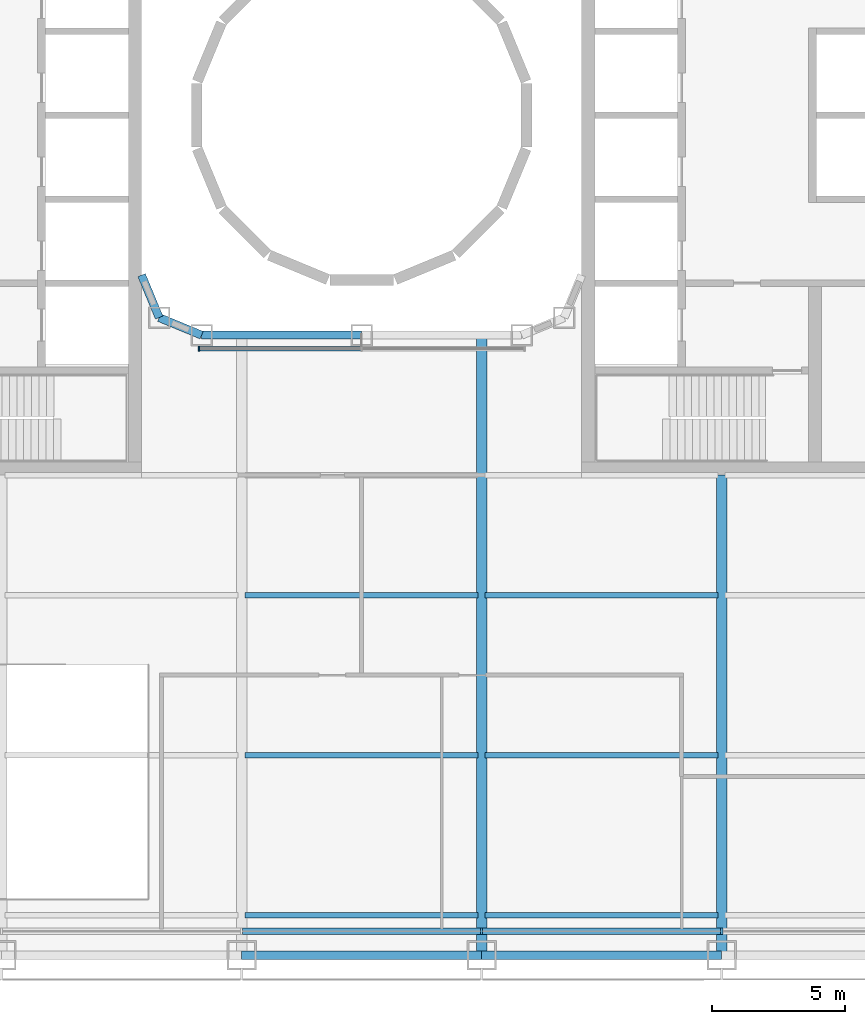
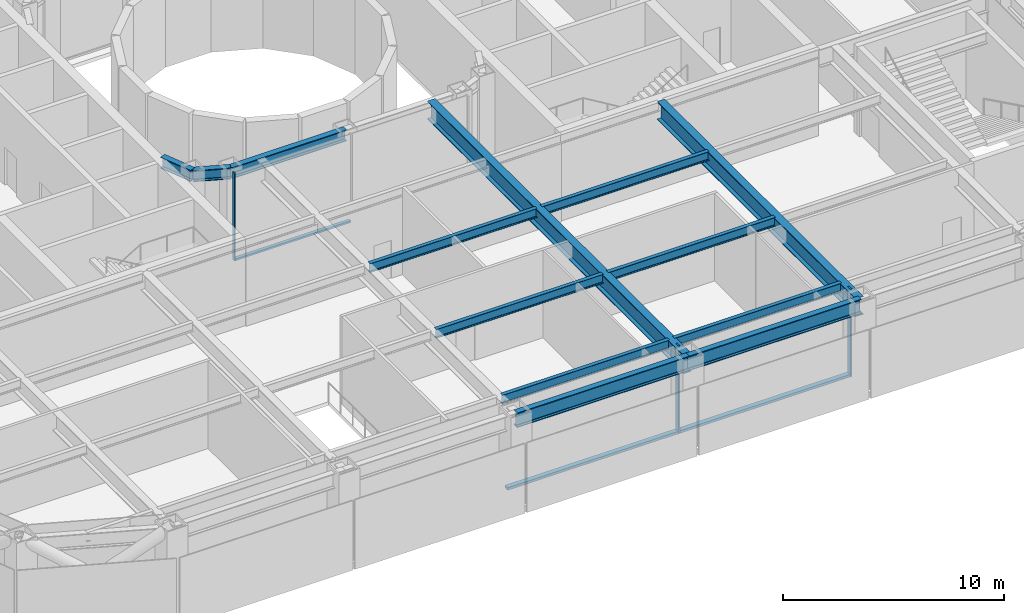
# One storey, part 3 of 24: 13 beams, 6 members, 2 elements without a shape of their own.
"""IFC4 building model written with IfcOpenShell, lengths in metres."""

import ifcopenshell
import ifcopenshell.guid

model = None  # the IFC model being written
_history = None  # IfcOwnerHistory: only IFC2X3 demands one
_inside = {}  # id of a spatial element -> (the spatial element, [elements in it])
_under = {}  # id of a project, library or spatial element -> (it, [spatial elements below it])
_declared = {}  # id of a project -> (the project, [libraries it declares])
_typed = {}  # id of a type object -> (the type object, [elements of that type])
_made_of = {}  # id of a material, layer set ... -> (it, [elements and type objects made of it])


def new_model(schema):
    """Start an empty IFC model of exactly this schema.

    Asked for "IFC4X3", IfcOpenShell would pick the latest addendum, in which some entities
    have other attributes; the version numbers below select the first issue.
    IFC2X3 requires an IfcOwnerHistory on every rooted entity: one is made here for all.
    """
    global model, _history
    if schema == "IFC4X3":
        model = ifcopenshell.file(schema_version=(4, 3, 0, 0))
    else:
        model = ifcopenshell.file(schema=schema)
    _inside.clear()
    _under.clear()
    _declared.clear()
    _typed.clear()
    _made_of.clear()
    _history = None
    if model.schema == "IFC2X3":
        org = make("IfcOrganization", Name="unknown")
        user = make(
            "IfcPersonAndOrganization",
            ThePerson=make("IfcPerson", FamilyName="unknown"),
            TheOrganization=org,
        )
        app = make(
            "IfcApplication",
            ApplicationDeveloper=org,
            Version="unknown",
            ApplicationFullName="unknown",
            ApplicationIdentifier="unknown",
        )
        _history = make(
            "IfcOwnerHistory",
            OwningUser=user,
            OwningApplication=app,
            ChangeAction="ADDED",
            CreationDate=0,
        )
    return model


def make(cls, **values):
    """One entity of the class cls with the attributes given. An attribute that is None is left unset."""
    return model.create_entity(
        cls, **{name: value for name, value in values.items() if value is not None}
    )


def rooted(cls, **values):
    """An entity with a GlobalId (a new one), such as an element, a storey or a relation."""
    return make(cls, GlobalId=ifcopenshell.guid.new(), OwnerHistory=_history, **values)


def si_unit(unit_type, name, prefix=None):
    """IfcSIUnit, for example si_unit("LENGTHUNIT", "METRE", prefix="MILLI")."""
    return make("IfcSIUnit", UnitType=unit_type, Prefix=prefix, Name=name)


def assignment(units):
    """IfcUnitAssignment: the units of a project."""
    return None if units is None else make("IfcUnitAssignment", Units=units)


def point(xyz):
    """IfcCartesianPoint."""
    return None if xyz is None else make("IfcCartesianPoint", Coordinates=xyz)


def direction(xyz):
    """IfcDirection."""
    return None if xyz is None else make("IfcDirection", DirectionRatios=xyz)


def frame(location, z_axis=None, x_axis=None):
    """IfcAxis2Placement3D, a coordinate frame: its origin and axes. An axis left out is left unset."""
    return make(
        "IfcAxis2Placement3D",
        Location=point(location),
        Axis=direction(z_axis),
        RefDirection=direction(x_axis),
    )


def frame_2d(location, x_axis=None):
    """IfcAxis2Placement2D, a coordinate frame in the plane: its origin and x axis."""
    return make(
        "IfcAxis2Placement2D", Location=point(location), RefDirection=direction(x_axis)
    )


def origin():
    """The frame at (0, 0, 0) with its axes left unset."""
    return frame((0.0, 0.0, 0.0))


def origin_2d():
    """The frame at (0, 0) in the plane with its x axis left unset."""
    return frame_2d((0.0, 0.0))


def place(relative_to, where):
    """IfcLocalPlacement: puts the frame where relative to a parent placement (None: the world)."""
    return make(
        "IfcLocalPlacement", PlacementRelTo=relative_to, RelativePlacement=where
    )


def context(
    kind, dimensions, precision=None, world=None, true_north=None, identifier=None
):
    """IfcGeometricRepresentationContext, for example the 3D "Model" context."""
    return make(
        "IfcGeometricRepresentationContext",
        ContextIdentifier=identifier,
        ContextType=kind,
        CoordinateSpaceDimension=dimensions,
        Precision=precision,
        WorldCoordinateSystem=world,
        TrueNorth=true_north,
    )


def subcontext(parent, identifier, kind, view, scale=None):
    """IfcGeometricRepresentationSubContext, for example "Body" below "Model"."""
    return make(
        "IfcGeometricRepresentationSubContext",
        ContextIdentifier=identifier,
        ContextType=kind,
        ParentContext=parent,
        TargetScale=scale,
        TargetView=view,
    )


def project(units=None, contexts=None):
    """IfcProject with its units and contexts."""
    return rooted(
        "IfcProject",
        Name="project",
        RepresentationContexts=contexts,
        UnitsInContext=assignment(units),
    )


def spatial(cls, under=None, at=None, **own):
    """A site, building, storey or space (cls), placed at a placement, below another one or the project."""
    s = rooted(cls, ObjectPlacement=at, **own)
    if under is not None:
        _under.setdefault(under.id(), (under, []))[1].append(s)
    return s


def profile(cls, at=None, kind="AREA", **sizes):
    """A parametric profile (cls). Its sizes go by their IFC names, for example OverallWidth=200.0."""
    return make(cls, ProfileType=kind, Position=at, **sizes)


def rectangle(**sizes):
    """IfcRectangleProfileDef."""
    return profile("IfcRectangleProfileDef", **sizes)


def i_section(**sizes):
    """IfcIShapeProfileDef."""
    return profile("IfcIShapeProfileDef", **sizes)


def extrude(swept, where, along, depth):
    """IfcExtrudedAreaSolid: the profile swept, set in the frame where, extruded along a direction by depth."""
    return make(
        "IfcExtrudedAreaSolid",
        SweptArea=swept,
        Position=where,
        ExtrudedDirection=direction(along),
        Depth=depth,
    )


def shape(context_of_items, identifier, shape_type, items):
    """IfcShapeRepresentation: the items that make up one representation, for example the "Body"."""
    return make(
        "IfcShapeRepresentation",
        ContextOfItems=context_of_items,
        RepresentationIdentifier=identifier,
        RepresentationType=shape_type,
        Items=items,
    )


def material(Name=None, Category=None):
    """IfcMaterial."""
    return make("IfcMaterial", Name=Name, Category=Category)


def layer(
    of_material, thickness, ventilated=None, Name=None, Category=None, Priority=None
):
    """IfcMaterialLayer: one layer of a wall or slab, of a material (None: an air gap)."""
    return make(
        "IfcMaterialLayer",
        Material=of_material,
        LayerThickness=thickness,
        IsVentilated=ventilated,
        Name=Name,
        Category=Category,
        Priority=Priority,
    )


def layer_set(layers, Name=None):
    """IfcMaterialLayerSet."""
    return make("IfcMaterialLayerSet", MaterialLayers=layers, LayerSetName=Name)


def material_profile(
    of_material, cross_section, Name=None, Category=None, Priority=None
):
    """IfcMaterialProfile: a cross section and its material."""
    return make(
        "IfcMaterialProfile",
        Name=Name,
        Material=of_material,
        Profile=cross_section,
        Priority=Priority,
        Category=Category,
    )


def profile_set(profiles, Name=None, composite=None):
    """IfcMaterialProfileSet."""
    return make(
        "IfcMaterialProfileSet",
        Name=Name,
        MaterialProfiles=profiles,
        CompositeProfile=composite,
    )


def made_of(thing, what):
    """Note that an element or type object is made of a material, layer set ...; save() writes the relation."""
    if what is not None:
        _made_of.setdefault(what.id(), (what, []))[1].append(thing)
    return thing


def type_object(cls, material=None, **own):
    """A type object (cls), such as IfcWallType, which elements share."""
    return made_of(rooted(cls, **own), material)


def element(
    cls,
    number,
    at=None,
    inside=None,
    cuts=None,
    type_object=None,
    material=None,
    context=None,
    identifier="Body",
    shape_type=None,
    held_by="IfcProductDefinitionShape",
    body=None,
    shapes=None,
    **own,
):
    """One element of the class cls, such as IfcWall. Its Tag is "e" and its number.

    at: its placement. inside: the storey or other place that contains it. cuts: it is an
    opening in that element (IfcRelVoidsElement). A single representation is given by context,
    identifier, shape_type and body (its items); several are given by shapes. held_by: the class
    of the entity that holds the representations. save() writes the other relations.
    """
    e = rooted(cls, Tag="e%d" % number, ObjectPlacement=at, **own)
    if body is not None:
        shapes = [shape(context, identifier, shape_type, body)]
    if shapes is not None:
        e.Representation = make(held_by, Representations=shapes)
    if inside is not None:
        _inside.setdefault(inside.id(), (inside, []))[1].append(e)
    if cuts is not None:
        rooted(
            "IfcRelVoidsElement", RelatingBuildingElement=cuts, RelatedOpeningElement=e
        )
    if type_object is not None:
        _typed.setdefault(type_object.id(), (type_object, []))[1].append(e)
    return made_of(e, material)


def aggregate(whole, parts):
    """IfcRelAggregates: a whole, such as a stair, and the parts it consists of."""
    return rooted("IfcRelAggregates", RelatingObject=whole, RelatedObjects=parts)


def save(model, path):
    """Write the relations noted so far, then the file.

    IfcRelAggregates (storeys below a building ...), IfcRelContainedInSpatialStructure (elements
    in a storey), IfcRelDefinesByType, IfcRelAssociatesMaterial and IfcRelDeclares: one each for
    every whole, place, type object, material and project.
    """
    for whole, parts in _under.values():
        aggregate(whole, parts)
    for where, things in _inside.values():
        rooted(
            "IfcRelContainedInSpatialStructure",
            RelatedElements=things,
            RelatingStructure=where,
        )
    for kind, things in _typed.values():
        rooted("IfcRelDefinesByType", RelatedObjects=things, RelatingType=kind)
    for what, things in _made_of.values():
        rooted("IfcRelAssociatesMaterial", RelatedObjects=things, RelatingMaterial=what)
    for by, libraries in _declared.values():
        rooted("IfcRelDeclares", RelatingContext=by, RelatedDefinitions=libraries)
    model.write(path)


model = new_model("IFC4")

# Units and contexts
model_context = context("Model", 3, precision=1e-05, world=origin(), true_north=direction((0.0, 1.0)))
body_context = subcontext(model_context, "Body", "Model", "MODEL_VIEW")
ifc_project = project(units=[si_unit("LENGTHUNIT", "METRE"), si_unit("AREAUNIT", "SQUARE_METRE"), si_unit("VOLUMEUNIT", "CUBIC_METRE"), si_unit("PLANEANGLEUNIT", "RADIAN"), si_unit("MASSUNIT", "GRAM", prefix="KILO")], contexts=[model_context])

# Site, building, storey
site_placement = place(None, origin())
site = spatial("IfcSite", under=ifc_project, at=site_placement, CompositionType="ELEMENT")
building_placement = place(site_placement, origin())
building = spatial("IfcBuilding", under=site, at=building_placement, Name="Siwar Civic Tower", CompositionType="ELEMENT")
storey_placement = place(building_placement, frame((0.0, 0.0, 12.199951171875)))
storey = spatial("IfcBuildingStorey", under=building, at=storey_placement, Name="L02", CompositionType="ELEMENT", Elevation=12.199951171875)

# Curtain wall, members
ifc_material_1 = material(Name="Aluminium and glass", Category="aluminium")
ifc_layer_1 = layer(ifc_material_1, 0.25)
ifc_layer_set_1 = layer_set([ifc_layer_1], Name="Aluminium and glass")
curtain_wall_type_1 = type_object("IfcCurtainWallType", Name="ENV-CW-H", PredefinedType="NOTDEFINED", material=ifc_layer_set_1)
curtain_wall_1_placement = place(storey_placement, origin())
curtain_wall_1 = element("IfcCurtainWall", 1, at=curtain_wall_1_placement, inside=storey, type_object=curtain_wall_type_1, Name="Curtain wall H S", PredefinedType="NOTDEFINED")
ifc_material_2 = material(Name="Aluminium 6063-T6", Category="aluminium")
ifc_material_profile_1 = material_profile(ifc_material_2, rectangle(XDim=0.25, YDim=0.080078125, at=origin_2d()), Name="AL 250x80")
ifc_profile_set_1 = profile_set([ifc_material_profile_1], Name="Aluminium 6063-T6")
member_type_1 = type_object("IfcMemberType", Name="ENV-MULLION-H", PredefinedType="MULLION", material=ifc_profile_set_1)
member_1_placement = place(storey_placement, frame((4.5, -30.60009765625, 0.0), z_axis=(0.0, 0.0, 1.0), x_axis=(0.0, 1.0, 0.0)))
member_1 = element("IfcMember", 2, at=member_1_placement, type_object=member_type_1, Name="Mullion H S 4", PredefinedType="MULLION", context=body_context, shape_type="SweptSolid", body=[
    extrude(rectangle(XDim=0.25, YDim=0.080078125, at=origin_2d()), origin(), (0.0, 0.0, 1.0), 4.85009765625),
])
member_2_placement = place(storey_placement, frame((13.5, -30.60009765625, 0.0), z_axis=(0.0, 0.0, 1.0), x_axis=(0.0, 1.0, 0.0)))
member_2 = element("IfcMember", 3, at=member_2_placement, type_object=member_type_1, Name="Mullion H S 5", PredefinedType="MULLION", context=body_context, shape_type="SweptSolid", body=[
    extrude(rectangle(XDim=0.25, YDim=0.080078125, at=origin_2d()), origin(), (0.0, 0.0, 1.0), 4.85009765625),
])

# Curtain wall, member
ifc_material_3 = material(Name="Aluminium and glass", Category="aluminium")
ifc_layer_2 = layer(ifc_material_3, 0.179931640625)
ifc_layer_set_2 = layer_set([ifc_layer_2], Name="Aluminium and glass")
curtain_wall_type_2 = type_object("IfcCurtainWallType", Name="ENV-CW-W", PredefinedType="NOTDEFINED", material=ifc_layer_set_2)
curtain_wall_2_placement = place(storey_placement, origin())
curtain_wall_2 = element("IfcCurtainWall", 4, at=curtain_wall_2_placement, inside=storey, type_object=curtain_wall_type_2, Name="Curtain wall W WS", PredefinedType="NOTDEFINED")
ifc_material_4 = material(Name="Aluminium 6063-T6", Category="aluminium")
ifc_material_profile_2 = material_profile(ifc_material_4, rectangle(XDim=0.179931640625, YDim=0.06005859375, at=origin_2d()), Name="AL 180x60")
ifc_profile_set_2 = profile_set([ifc_material_profile_2], Name="Aluminium 6063-T6")
member_type_2 = type_object("IfcMemberType", Name="ENV-MULLION-W", PredefinedType="MULLION", material=ifc_profile_set_2)
member_3_placement = place(storey_placement, frame((-6.1015625, -8.760009765625, 0.0), z_axis=(0.0, 0.0, 1.0), x_axis=(0.0, 1.0, 0.0)))
member_3 = element("IfcMember", 5, at=member_3_placement, type_object=member_type_2, Name="Mullion W WS 1", PredefinedType="MULLION", context=body_context, shape_type="SweptSolid", body=[
    extrude(rectangle(XDim=0.179931640625, YDim=0.06005859375, at=origin_2d()), origin(), (0.0, 0.0, 1.0), 4.85009765625),
])

# Member
ifc_material_5 = material(Name="Aluminium 6063-T6", Category="aluminium")
ifc_material_profile_3 = material_profile(ifc_material_5, rectangle(XDim=0.25, YDim=0.139892578125, at=origin_2d()), Name="AL 250x140")
ifc_profile_set_3 = profile_set([ifc_material_profile_3], Name="Aluminium 6063-T6")
member_type_3 = type_object("IfcMemberType", Name="ENV-TRANSOM-H", PredefinedType="USERDEFINED", material=ifc_profile_set_3)
member_4_placement = place(storey_placement, frame((-4.4599609375, -30.60009765625, 0.070068359375), z_axis=(1.0, 0.0, 0.0), x_axis=(0.0, 1.0, 0.0)))
member_4 = element("IfcMember", 6, at=member_4_placement, type_object=member_type_3, Name="Transom H S 3", ObjectType="TRANSOM", PredefinedType="USERDEFINED", context=body_context, shape_type="SweptSolid", body=[
    extrude(rectangle(XDim=0.25, YDim=0.139892578125, at=origin_2d()), origin(), (0.0, 0.0, 1.0), 8.919921875),
])

member_5_placement = place(storey_placement, frame((4.5400390625, -30.60009765625, 0.070068359375), z_axis=(1.0, 0.0, 0.0), x_axis=(0.0, 1.0, 0.0)))
member_5 = element("IfcMember", 7, at=member_5_placement, type_object=member_type_3, Name="Transom H S 4", ObjectType="TRANSOM", PredefinedType="USERDEFINED", context=body_context, shape_type="SweptSolid", body=[
    extrude(rectangle(XDim=0.25, YDim=0.139892578125, at=origin_2d()), origin(), (0.0, 0.0, 1.0), 8.919921875),
])

aggregate(curtain_wall_1, [member_1, member_2, member_4, member_5])

ifc_material_6 = material(Name="Aluminium 6063-T6", Category="aluminium")
ifc_material_profile_4 = material_profile(ifc_material_6, rectangle(XDim=0.179931640625, YDim=0.10009765625, at=origin_2d()), Name="AL 180x100")
ifc_profile_set_4 = profile_set([ifc_material_profile_4], Name="Aluminium 6063-T6")
member_type_4 = type_object("IfcMemberType", Name="ENV-TRANSOM-W", PredefinedType="USERDEFINED", material=ifc_profile_set_4)
member_6_placement = place(storey_placement, frame((-6.071533203125, -8.760009765625, 0.050048828125), z_axis=(1.0, 0.0, 0.0), x_axis=(0.0, 1.0, 0.0)))
member_6 = element("IfcMember", 8, at=member_6_placement, type_object=member_type_4, Name="Transom W WS 1", ObjectType="TRANSOM", PredefinedType="USERDEFINED", context=body_context, shape_type="SweptSolid", body=[
    extrude(rectangle(XDim=0.179931640625, YDim=0.10009765625, at=origin_2d()), origin(), (0.0, 0.0, 1.0), 6.04150390625),
])

aggregate(curtain_wall_2, [member_3, member_6])

# Beams
ifc_material_7 = material(Name="Steel S355", Category="steel")
ifc_material_profile_5 = material_profile(ifc_material_7, i_section(OverallWidth=0.199951171875, OverallDepth=0.5, WebThickness=0.01025390625, FlangeThickness=0.01611328125, FilletRadius=0.02099609375, at=origin_2d()), Name="IPE500")
ifc_profile_set_5 = profile_set([ifc_material_profile_5], Name="Steel S355")
beam_type_1 = type_object("IfcBeamType", Name="STR-FB-IPE500", PredefinedType="JOIST", material=ifc_profile_set_5)
for number, where, z_axis, x_axis, name in (
    (9, (-4.3701171875, -30.0, 4.60009765625), (1.0, 0.0, 0.0), (0.0, 1.0, 0.0), "L02/bm/F004"),
    (10, (4.6298828125, -30.0, 4.60009765625), (1.0, 0.0, 0.0), (0.0, 1.0, 0.0), "L02/bm/F005"),
    (11, (-4.3701171875, -24.0, 4.60009765625), (1.0, 0.0, 0.0), (0.0, 1.0, 0.0), "L02/bm/F011"),
    (12, (4.6298828125, -24.0, 4.60009765625), (1.0, 0.0, 0.0), (0.0, 1.0, 0.0), "L02/bm/F012"),
    (13, (-4.3701171875, -18.0, 4.60009765625), (1.0, 0.0, 0.0), (0.0, 1.0, 0.0), "L02/bm/F017"),
    (14, (4.6298828125, -18.0, 4.60009765625), (1.0, 0.0, 0.0), (0.0, 1.0, 0.0), "L02/bm/F018"),
):
    element("IfcBeam", number, at=place(storey_placement, frame(where, z_axis=z_axis, x_axis=x_axis)), inside=storey, type_object=beam_type_1, Name=name, PredefinedType="JOIST", context=body_context, shape_type="SweptSolid", body=[
        extrude(i_section(OverallWidth=0.199951171875, OverallDepth=0.5, WebThickness=0.01025390625, FlangeThickness=0.01611328125, FilletRadius=0.02099609375, at=origin_2d()), origin(), (0.0, 0.0, 1.0), 8.740234375),
    ])
ifc_material_8 = material(Name="Steel S355", Category="steel")
ifc_material_profile_6 = material_profile(ifc_material_8, i_section(OverallWidth=0.39990234375, OverallDepth=1.0, WebThickness=0.01611328125, FlangeThickness=0.0400390625, at=origin_2d()), Name="PG1000x400x16x40")
ifc_profile_set_6 = profile_set([ifc_material_profile_6], Name="Steel S355")
beam_type_2 = type_object("IfcBeamType", Name="STR-PG-PG1000x400x16x40", PredefinedType="BEAM", material=ifc_profile_set_6)
beam_1_placement = place(storey_placement, frame((4.5, -31.5, 4.35009765625), z_axis=(0.0, 1.0, 0.0), x_axis=(-1.0, 0.0, 0.0)))
element("IfcBeam", 15, at=beam_1_placement, inside=storey, type_object=beam_type_2, Name="L02/bm/G07", PredefinedType="BEAM", context=body_context, shape_type="SweptSolid", body=[
    extrude(i_section(OverallWidth=0.39990234375, OverallDepth=1.0, WebThickness=0.01611328125, FlangeThickness=0.0400390625, at=origin_2d()), origin(), (0.0, 0.0, 1.0), 23.25),
])
beam_2_placement = place(storey_placement, frame((13.5, -31.5, 4.35009765625), z_axis=(0.0, 1.0, 0.0), x_axis=(-1.0, 0.0, 0.0)))
element("IfcBeam", 16, at=beam_2_placement, inside=storey, type_object=beam_type_2, Name="L02/bm/G09", PredefinedType="BEAM", context=body_context, shape_type="SweptSolid", body=[
    extrude(i_section(OverallWidth=0.39990234375, OverallDepth=1.0, WebThickness=0.01611328125, FlangeThickness=0.0400390625, at=origin_2d()), origin(), (0.0, 0.0, 1.0), 18.0),
])
ifc_material_9 = material(Name="Steel S355", Category="steel")
ifc_material_profile_7 = material_profile(ifc_material_9, i_section(OverallWidth=0.304931640625, OverallDepth=0.6201171875, WebThickness=0.02099609375, FlangeThickness=0.0400390625, FilletRadius=0.027099609375, at=origin_2d()), Name="HEM600")
ifc_profile_set_7 = profile_set([ifc_material_profile_7], Name="Steel S355")
beam_type_3 = type_object("IfcBeamType", Name="STR-RB-HEM600", PredefinedType="BEAM", material=ifc_profile_set_7)
beam_3_placement = place(storey_placement, frame((-7.591064453125, -7.591064453125, 4.5400390625), z_axis=(0.923901072997, -0.382631424892, 0.0), x_axis=(0.382631424892, 0.923901072997, 0.0)))
element("IfcBeam", 17, at=beam_3_placement, inside=storey, type_object=beam_type_3, Name="L02/bm/RS0", PredefinedType="BEAM", context=body_context, shape_type="SweptSolid", body=[
    extrude(i_section(OverallWidth=0.304931640625, OverallDepth=0.6201171875, WebThickness=0.02099609375, FlangeThickness=0.0400390625, FilletRadius=0.027099609375, at=origin_2d()), origin(), (0.0, 0.0, 1.0), 1.72216796875),
])
beam_4_placement = place(storey_placement, frame((-6.0, -8.25, 4.5400390625), z_axis=(1.0, 0.0, 0.0), x_axis=(0.0, 1.0, 0.0)))
element("IfcBeam", 18, at=beam_4_placement, inside=storey, type_object=beam_type_3, Name="L02/bm/RS1", PredefinedType="BEAM", context=body_context, shape_type="SweptSolid", body=[
    extrude(i_section(OverallWidth=0.304931640625, OverallDepth=0.6201171875, WebThickness=0.02099609375, FlangeThickness=0.0400390625, FilletRadius=0.027099609375, at=origin_2d()), origin(), (0.0, 0.0, 1.0), 6.0),
])
beam_5_placement = place(storey_placement, frame((-7.591064453125, -7.591064453125, 4.5400390625), z_axis=(-0.382631424892, 0.923901072997, 0.0), x_axis=(-0.923901072997, -0.382631424892, 0.0)))
element("IfcBeam", 19, at=beam_5_placement, inside=storey, type_object=beam_type_3, Name="L02/bm/RSEW", PredefinedType="BEAM", context=body_context, shape_type="SweptSolid", body=[
    extrude(i_section(OverallWidth=0.304931640625, OverallDepth=0.6201171875, WebThickness=0.02099609375, FlangeThickness=0.0400390625, FilletRadius=0.027099609375, at=origin_2d()), origin(), (0.0, 0.0, 1.0), 1.72216796875),
])
ifc_material_10 = material(Name="Steel S355", Category="steel")
ifc_material_profile_8 = material_profile(ifc_material_10, i_section(OverallWidth=0.302978515625, OverallDepth=0.81396484375, WebThickness=0.02099609375, FlangeThickness=0.0400390625, FilletRadius=0.030029296875, at=origin_2d()), Name="HEM800")
ifc_profile_set_8 = profile_set([ifc_material_profile_8], Name="Steel S355")
beam_type_4 = type_object("IfcBeamType", Name="STR-SB-HEM800", PredefinedType="BEAM", material=ifc_profile_set_8)
for number, where, z_axis, x_axis, name in (
    (20, (-4.5, -31.5, 4.443115234375), (1.0, 0.0, 0.0), (0.0, 1.0, 0.0), "L02/bm/SS-2"),
    (21, (4.5, -31.5, 4.443115234375), (1.0, 0.0, 0.0), (0.0, 1.0, 0.0), "L02/bm/SS-3"),
):
    element("IfcBeam", number, at=place(storey_placement, frame(where, z_axis=z_axis, x_axis=x_axis)), inside=storey, type_object=beam_type_4, Name=name, PredefinedType="BEAM", context=body_context, shape_type="SweptSolid", body=[
        extrude(i_section(OverallWidth=0.302978515625, OverallDepth=0.81396484375, WebThickness=0.02099609375, FlangeThickness=0.0400390625, FilletRadius=0.030029296875, at=origin_2d()), origin(), (0.0, 0.0, 1.0), 9.0),
    ])

save(model, "model.ifc")
